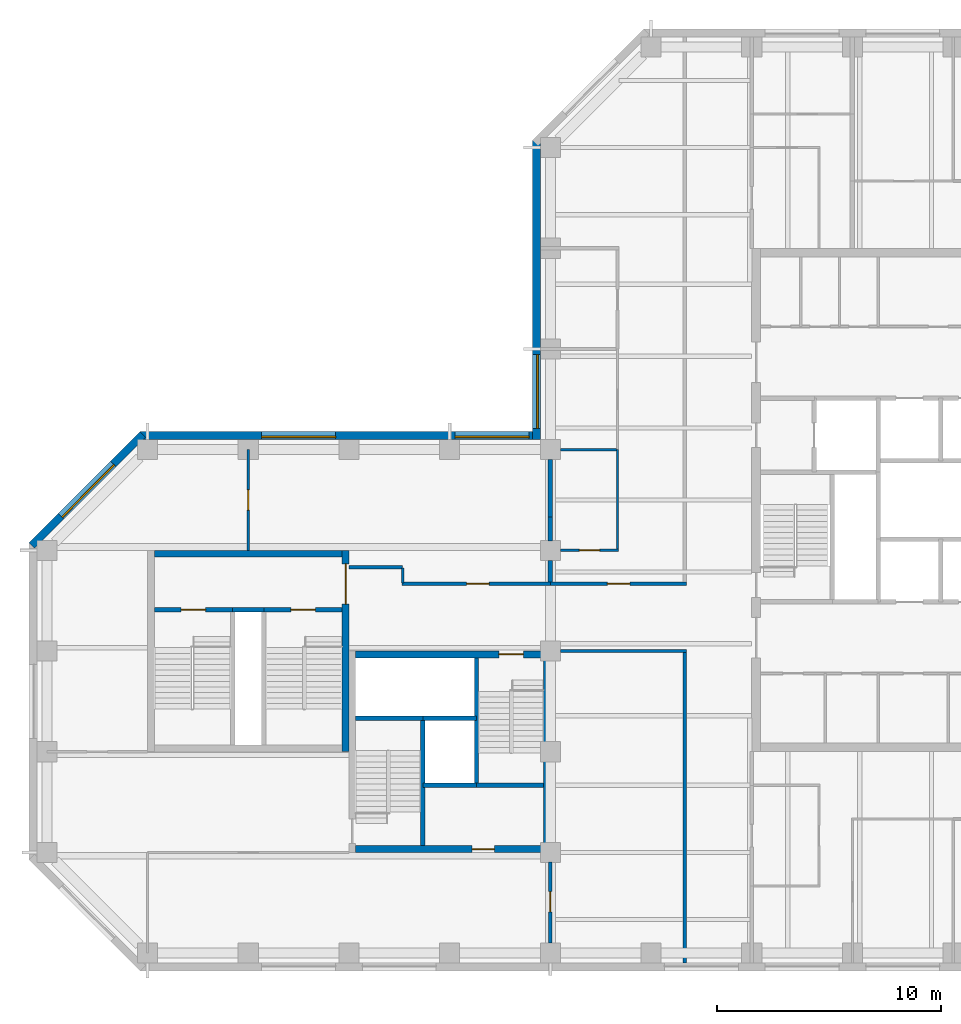
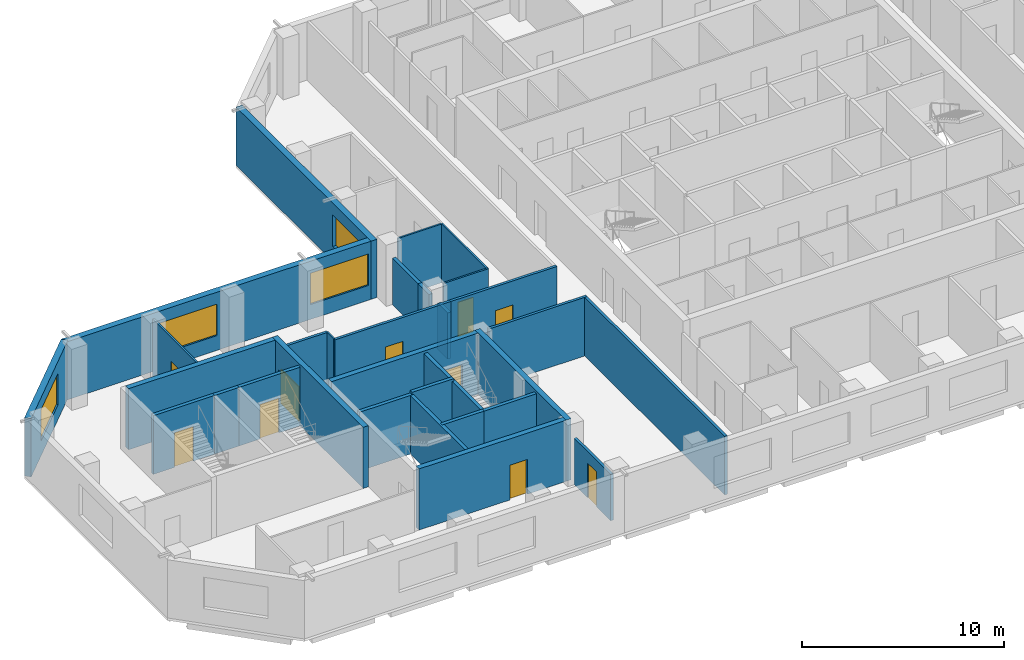
# One storey, part 3 of 10: 31 walls, 10 doors, 4 windows, 14 openings.
"""IFC4 building model written with IfcOpenShell, lengths in metres."""

from ifc_helpers import new_model, si_unit, direction, frame, frame_2d, origin, place, context, subcontext, project, spatial, rectangle, extrude, material, layer, layer_set, constituent, constituent_set, type_object, element, fill, save


model = new_model("IFC4")

# Units and contexts
model_context = context("Model", 3, precision=1e-05, world=origin(), true_north=direction((0.0, 1.0)))
body_context = subcontext(model_context, "Body", "Model", "MODEL_VIEW")
ifc_project = project(units=[si_unit("LENGTHUNIT", "METRE"), si_unit("AREAUNIT", "SQUARE_METRE"), si_unit("VOLUMEUNIT", "CUBIC_METRE"), si_unit("PLANEANGLEUNIT", "RADIAN"), si_unit("MASSUNIT", "GRAM", prefix="KILO")], contexts=[model_context])

# Site, building, storey
site_placement = place(None, origin())
site = spatial("IfcSite", under=ifc_project, at=site_placement, CompositionType="ELEMENT")
building_placement = place(site_placement, origin())
building = spatial("IfcBuilding", under=site, at=building_placement, Name="Quoin Convention Tower", CompositionType="ELEMENT")
storey_placement = place(building_placement, frame((0.0, 0.0, 184.699951171875)))
storey = spatial("IfcBuildingStorey", under=building, at=storey_placement, Name="L48", CompositionType="ELEMENT", Elevation=184.699951171875)

# Wall, opening, window
ifc_material_1 = material(Name="Brick masonry", Category="masonry")
ifc_layer_1 = layer(ifc_material_1, 0.35009765625)
ifc_layer_set_1 = layer_set([ifc_layer_1], Name="Brick masonry")
wall_type_1 = type_object("IfcWallType", Name="Brick facade wall", PredefinedType="STANDARD", material=ifc_layer_set_1)
wall_1_placement = place(storey_placement, frame((35.375, 76.831298828125, 0.0), z_axis=(0.0, 0.0, 1.0), x_axis=(0.0, -1.0, 0.0)))
wall_1 = element("IfcWall", 1, at=wall_1_placement, inside=storey, type_object=wall_type_1, Name="fw-L48-36000_76500", PredefinedType="STANDARD", context=body_context, shape_type="SweptSolid", body=[
    extrude(rectangle(XDim=13.38134765625, YDim=0.35009765625, at=frame_2d((6.690673828125, 0.0))), origin(), (0.0, 0.0, 1.0), 3.525146484375),
])
opening_1_placement = place(wall_1_placement, frame((9.581298828125, 0.0, 0.89990234375)))
opening_1 = element("IfcOpeningElement", 2, at=opening_1_placement, cuts=wall_1, Name="Opening W-02", PredefinedType="OPENING", context=body_context, shape_type="SweptSolid", body=[
    extrude(rectangle(XDim=3.300048828125, YDim=1.89990234375, at=frame_2d((1.64990234375, 0.949951171875))), frame((0.0, 0.18505859375, 0.0), z_axis=(0.0, -1.0, 0.0), x_axis=(1.0, 0.0, 0.0)), (0.0, 0.0, 1.0), 0.3701171875),
])
ifc_material_2 = material(Name="Aluminium", Category="aluminium")
ifc_constituent_1 = constituent(ifc_material_2, Name="Frame")
ifc_material_3 = material(Name="Insulated glass", Category="glass")
ifc_constituent_2 = constituent(ifc_material_3, Name="Glazing")
ifc_constituent_set = constituent_set(constituents=[ifc_constituent_1, ifc_constituent_2], Name="Aluminium")
window_type = type_object("IfcWindowType", Name="Office window", PartitioningType="DOUBLE_PANEL_VERTICAL", PredefinedType="WINDOW", material=ifc_constituent_set)
window_1_placement = place(opening_1_placement, origin())
window_1 = element("IfcWindow", 3, at=window_1_placement, inside=storey, type_object=window_type, Name="win-L48-35375_65250", OverallHeight=1.89990234375, OverallWidth=3.300048828125, PartitioningType="SINGLE_PANEL", PredefinedType="WINDOW", context=body_context, shape_type="SweptSolid", body=[
    extrude(rectangle(XDim=3.300048828125, YDim=1.89990234375, at=frame_2d((1.64990234375, 0.949951171875))), frame((0.0, 0.0849609375, 0.0), z_axis=(0.0, -1.0, 0.0), x_axis=(1.0, 0.0, 0.0)), (0.0, 0.0, 1.0), 0.06005859375),
])
fill(opening_1, window_1)

# Wall, openings, windows
wall_2_placement = place(storey_placement, frame((35.550048828125, 63.625, 0.0), z_axis=(0.0, 0.0, 1.0), x_axis=(-1.0, 0.0, 0.0)))
wall_2 = element("IfcWall", 4, at=wall_2_placement, inside=storey, type_object=wall_type_1, Name="fw-L48-36000_63000", PredefinedType="STANDARD", context=body_context, shape_type="SweptSolid", body=[
    extrude(rectangle(XDim=17.88134765625, YDim=0.35009765625, at=frame_2d((8.940673828125, 0.0))), origin(), (0.0, 0.0, 1.0), 3.525146484375),
])
opening_2_placement = place(wall_2_placement, frame((0.5, 0.0, 0.89990234375)))
opening_2 = element("IfcOpeningElement", 5, at=opening_2_placement, cuts=wall_2, Name="Opening W-02", PredefinedType="OPENING", context=body_context, shape_type="SweptSolid", body=[
    extrude(rectangle(XDim=3.300048828125, YDim=1.89990234375, at=frame_2d((1.64990234375, 0.949951171875))), frame((0.0, 0.18505859375, 0.0), z_axis=(0.0, -1.0, 0.0), x_axis=(1.0, 0.0, 0.0)), (0.0, 0.0, 1.0), 0.3701171875),
])
opening_3_placement = place(wall_2_placement, frame((9.14990234375, 0.0, 0.89990234375)))
opening_3 = element("IfcOpeningElement", 6, at=opening_3_placement, cuts=wall_2, Name="Opening W-02", PredefinedType="OPENING", context=body_context, shape_type="SweptSolid", body=[
    extrude(rectangle(XDim=3.300048828125, YDim=1.89990234375, at=frame_2d((1.64990234375, 0.949951171875))), frame((0.0, 0.18505859375, 0.0), z_axis=(0.0, -1.0, 0.0), x_axis=(1.0, 0.0, 0.0)), (0.0, 0.0, 1.0), 0.3701171875),
])
window_2_placement = place(opening_2_placement, origin())
window_2 = element("IfcWindow", 7, at=window_2_placement, inside=storey, type_object=window_type, Name="win-L48-33750_63625", OverallHeight=1.89990234375, OverallWidth=3.300048828125, PartitioningType="SINGLE_PANEL", PredefinedType="WINDOW", context=body_context, shape_type="SweptSolid", body=[
    extrude(rectangle(XDim=3.300048828125, YDim=1.89990234375, at=frame_2d((1.64990234375, 0.949951171875))), frame((0.0, 0.0849609375, 0.0), z_axis=(0.0, -1.0, 0.0), x_axis=(1.0, 0.0, 0.0)), (0.0, 0.0, 1.0), 0.06005859375),
])
fill(opening_2, window_2)
window_3_placement = place(opening_3_placement, origin())
window_3 = element("IfcWindow", 8, at=window_3_placement, inside=storey, type_object=window_type, Name="win-L48-24750_63625", OverallHeight=1.89990234375, OverallWidth=3.300048828125, PartitioningType="SINGLE_PANEL", PredefinedType="WINDOW", context=body_context, shape_type="SweptSolid", body=[
    extrude(rectangle(XDim=3.300048828125, YDim=1.89990234375, at=frame_2d((1.64990234375, 0.949951171875))), frame((0.0, 0.0849609375, 0.0), z_axis=(0.0, -1.0, 0.0), x_axis=(1.0, 0.0, 0.0)), (0.0, 0.0, 1.0), 0.06005859375),
])
fill(opening_3, window_3)

# Wall, opening, window
wall_3_placement = place(storey_placement, frame((17.79248046875, 63.67626953125, 0.0), z_axis=(0.0, 0.0, 1.0), x_axis=(-0.707106781187, -0.707106781187, 0.0)))
wall_3 = element("IfcWall", 9, at=wall_3_placement, inside=storey, type_object=wall_type_1, Name="fw-L48-18000_63000", PredefinedType="STANDARD", context=body_context, shape_type="SweptSolid", body=[
    extrude(rectangle(XDim=7.02685546875, YDim=0.35009765625, at=frame_2d((3.513427734375, 0.0))), origin(), (0.0, 0.0, 1.0), 3.525146484375),
])
opening_4_placement = place(wall_3_placement, frame((1.86328125, 0.0, 0.89990234375)))
opening_4 = element("IfcOpeningElement", 10, at=opening_4_placement, cuts=wall_3, Name="Opening W-02", PredefinedType="OPENING", context=body_context, shape_type="SweptSolid", body=[
    extrude(rectangle(XDim=3.300048828125, YDim=1.89990234375, at=frame_2d((1.64990234375, 0.949951171875))), frame((0.0, 0.18505859375, 0.0), z_axis=(0.0, -1.0, 0.0), x_axis=(1.0, 0.0, 0.0)), (0.0, 0.0, 1.0), 0.3701171875),
])
window_4_placement = place(opening_4_placement, origin())
window_4 = element("IfcWindow", 11, at=window_4_placement, inside=storey, type_object=window_type, Name="win-L48-15308_61192", OverallHeight=1.89990234375, OverallWidth=3.300048828125, PartitioningType="SINGLE_PANEL", PredefinedType="WINDOW", context=body_context, shape_type="SweptSolid", body=[
    extrude(rectangle(XDim=3.300048828125, YDim=1.89990234375, at=frame_2d((1.64990234375, 0.949951171875))), frame((0.0, 0.0849609375, 0.0), z_axis=(0.0, -1.0, 0.0), x_axis=(1.0, 0.0, 0.0)), (0.0, 0.0, 1.0), 0.06005859375),
])
fill(opening_4, window_4)

# Walls
ifc_material_4 = material(Name="Concrete C50", Category="concrete")
ifc_layer_2 = layer(ifc_material_4, 0.199951171875)
ifc_layer_set_2 = layer_set([ifc_layer_2], Name="Concrete C50")
wall_type_2 = type_object("IfcWallType", Name="Core shaft wall", PredefinedType="SOLIDWALL", material=ifc_layer_set_2)
wall_4_placement = place(storey_placement, frame((30.300048828125, 48.0, 0.0), z_axis=(0.0, 0.0, 1.0), x_axis=(1.0, 0.0, 0.0)))
element("IfcWall", 12, at=wall_4_placement, inside=storey, type_object=wall_type_2, Name="cr-P2-L48-h3000_3300", PredefinedType="SOLIDWALL", context=body_context, shape_type="SweptSolid", body=[
    extrude(rectangle(XDim=2.39990234375, YDim=0.199951171875, at=frame_2d((1.199951171875, 0.0))), origin(), (0.0, 0.0, 1.0), 3.550048828125),
])
for number, where, z_axis, x_axis, name in (
    (13, (32.699951171875, 48.0, 0.0), (0.0, 0.0, 1.0), (1.0, 0.0, 0.0), "cr-P2-L48-h3000_5700"),
    (14, (27.300048828125, 51.0, 0.0), (0.0, 0.0, 1.0), (1.0, 0.0, 0.0), "cr-P2-L48-h6000_300"),
):
    element("IfcWall", number, at=place(storey_placement, frame(where, z_axis=z_axis, x_axis=x_axis)), inside=storey, type_object=wall_type_2, Name=name, PredefinedType="SOLIDWALL", context=body_context, shape_type="SweptSolid", body=[
        extrude(rectangle(XDim=3.0, YDim=0.199951171875, at=frame_2d((1.5, 0.0))), origin(), (0.0, 0.0, 1.0), 3.550048828125),
    ])
for number, where, z_axis, x_axis, name in (
    (15, (30.300048828125, 45.300048828125, 0.0), (0.0, 0.0, 1.0), (0.0, 1.0, 0.0), "cr-P2-L48-v3300_300"),
    (16, (32.699951171875, 48.0, 0.0), (0.0, 0.0, 1.0), (0.0, 1.0, 0.0), "cr-P2-L48-v5700_3000"),
):
    element("IfcWall", number, at=place(storey_placement, frame(where, z_axis=z_axis, x_axis=x_axis)), inside=storey, type_object=wall_type_2, Name=name, PredefinedType="SOLIDWALL", context=body_context, shape_type="SweptSolid", body=[
        extrude(rectangle(XDim=5.699951171875, YDim=0.199951171875, at=frame_2d((2.85009765625, 0.0))), origin(), (0.0, 0.0, 1.0), 3.550048828125),
    ])
wall_5_placement = place(storey_placement, frame((21.800048828125, 55.85009765625, 0.0), z_axis=(0.0, 0.0, 1.0), x_axis=(1.0, 0.0, 0.0)))
element("IfcWall", 17, at=wall_5_placement, inside=storey, type_object=wall_type_2, Name="cr-P6-L48-h6350_3800", PredefinedType="SOLIDWALL", context=body_context, shape_type="SweptSolid", body=[
    extrude(rectangle(XDim=1.39990234375, YDim=0.199951171875, at=frame_2d((0.699951171875, 0.0))), origin(), (0.0, 0.0, 1.0), 3.550048828125),
])

# Wall, opening, door
wall_6_placement = place(storey_placement, frame((18.300048828125, 55.85009765625, 0.0), z_axis=(0.0, 0.0, 1.0), x_axis=(1.0, 0.0, 0.0)))
wall_6 = element("IfcWall", 18, at=wall_6_placement, inside=storey, type_object=wall_type_2, Name="cr-P6-L48-h6350_300", PredefinedType="SOLIDWALL", context=body_context, shape_type="SweptSolid", body=[
    extrude(rectangle(XDim=3.5, YDim=0.199951171875, at=frame_2d((1.75, 0.0))), origin(), (0.0, 0.0, 1.0), 3.550048828125),
])
opening_5_placement = place(wall_6_placement, frame((1.199951171875, 0.0, 0.0)))
opening_5 = element("IfcOpeningElement", 19, at=opening_5_placement, cuts=wall_6, Name="Opening SD11", PredefinedType="OPENING", context=body_context, shape_type="SweptSolid", body=[
    extrude(rectangle(XDim=1.10009765625, YDim=2.10009765625, at=frame_2d((0.550048828125, 1.050048828125))), frame((0.0, 0.10986328125, 0.0), z_axis=(0.0, -1.0, 0.0), x_axis=(1.0, 0.0, 0.0)), (0.0, 0.0, 1.0), 0.219970703125),
])
ifc_material_5 = material(Name="Steel door leaf", Category="steel")
door_type_1 = type_object("IfcDoorType", Name="Stair door 1100 x 2100", OperationType="SINGLE_SWING_RIGHT", PredefinedType="DOOR", material=ifc_material_5)
door_1_placement = place(opening_5_placement, origin())
door_1 = element("IfcDoor", 20, at=door_1_placement, inside=storey, type_object=door_type_1, Name="cd-P6-L48-SA-R2-SD11", OperationType="SINGLE_SWING_RIGHT", OverallHeight=2.10009765625, OverallWidth=1.10009765625, PredefinedType="DOOR", context=body_context, shape_type="SweptSolid", body=[
    extrude(rectangle(XDim=1.10009765625, YDim=2.10009765625, at=frame_2d((0.550048828125, 1.050048828125))), frame((0.0, 0.02490234375, 0.0), z_axis=(0.0, -1.0, 0.0), x_axis=(1.0, 0.0, 0.0)), (0.0, 0.0, 1.0), 0.050048828125),
])
fill(opening_5, door_1)

wall_7_placement = place(storey_placement, frame((23.199951171875, 55.85009765625, 0.0), z_axis=(0.0, 0.0, 1.0), x_axis=(1.0, 0.0, 0.0)))
wall_7 = element("IfcWall", 21, at=wall_7_placement, inside=storey, type_object=wall_type_2, Name="cr-P6-L48-h6350_5200", PredefinedType="SOLIDWALL", context=body_context, shape_type="SweptSolid", body=[
    extrude(rectangle(XDim=3.5, YDim=0.199951171875, at=frame_2d((1.75, 0.0))), origin(), (0.0, 0.0, 1.0), 3.550048828125),
])
opening_6_placement = place(wall_7_placement, frame((1.199951171875, 0.0, 0.0)))
opening_6 = element("IfcOpeningElement", 22, at=opening_6_placement, cuts=wall_7, Name="Opening SD12", PredefinedType="OPENING", context=body_context, shape_type="SweptSolid", body=[
    extrude(rectangle(XDim=1.10009765625, YDim=2.10009765625, at=frame_2d((0.550048828125, 1.050048828125))), frame((0.0, 0.10986328125, 0.0), z_axis=(0.0, -1.0, 0.0), x_axis=(1.0, 0.0, 0.0)), (0.0, 0.0, 1.0), 0.219970703125),
])
door_2_placement = place(opening_6_placement, origin())
door_2 = element("IfcDoor", 23, at=door_2_placement, inside=storey, type_object=door_type_1, Name="cd-P6-L48-SB-R2-SD12", OperationType="SINGLE_SWING_RIGHT", OverallHeight=2.10009765625, OverallWidth=1.10009765625, PredefinedType="DOOR", context=body_context, shape_type="SweptSolid", body=[
    extrude(rectangle(XDim=1.10009765625, YDim=2.10009765625, at=frame_2d((0.550048828125, 1.050048828125))), frame((0.0, 0.02490234375, 0.0), z_axis=(0.0, -1.0, 0.0), x_axis=(1.0, 0.0, 0.0)), (0.0, 0.0, 1.0), 0.050048828125),
])
fill(opening_6, door_2)

# Walls
ifc_layer_3 = layer(ifc_material_4, 0.199951171875)
ifc_layer_set_3 = layer_set([ifc_layer_3], Name="Concrete C50")
wall_type_3 = type_object("IfcWallType", Name="Core shaft wall to the floor level over", PredefinedType="SOLIDWALL", material=ifc_layer_set_3)
wall_8_placement = place(storey_placement, frame((30.300048828125, 51.0, 0.0), z_axis=(0.0, 0.0, 1.0), x_axis=(1.0, 0.0, 0.0)))
element("IfcWall", 24, at=wall_8_placement, inside=storey, type_object=wall_type_3, Name="cr-P2-L48-h6000_3300", PredefinedType="SOLIDWALL", context=body_context, shape_type="SweptSolid", body=[
    extrude(rectangle(XDim=2.39990234375, YDim=0.199951171875, at=frame_2d((1.199951171875, 0.0))), origin(), (0.0, 0.0, 1.0), 3.699951171875),
])
ifc_material_6 = material(Name="Plasterboard")
ifc_layer_4 = layer(ifc_material_6, 0.012451171875, Name="Finish")
ifc_material_7 = material(Name="Steel stud framing", Category="steel")
ifc_layer_5 = layer(ifc_material_7, 0.125, Name="Structure")
ifc_layer_6 = layer(ifc_material_6, 0.012451171875, Name="Finish")
ifc_layer_set_4 = layer_set([ifc_layer_4, ifc_layer_5, ifc_layer_6], Name="Steel stud framing")
wall_type_4 = type_object("IfcWallType", Name="Corridor wall 150", PredefinedType="PARTITIONING", material=ifc_layer_set_4)
wall_9_placement = place(storey_placement, frame((36.449951171875, 54.0, 0.0), z_axis=(0.0, 0.0, 1.0), x_axis=(1.0, 0.0, 0.0)))
element("IfcWall", 25, at=wall_9_placement, inside=storey, type_object=wall_type_4, Name="pw-L48-016", PredefinedType="PARTITIONING", context=body_context, shape_type="SweptSolid", body=[
    extrude(rectangle(XDim=5.625, YDim=0.14990234375, at=frame_2d((2.8125, 0.0))), origin(), (0.0, 0.0, 1.0), 3.550048828125),
])

# Wall, opening, door
wall_10_placement = place(storey_placement, frame((29.3798828125, 57.0, 0.0), z_axis=(0.0, 0.0, 1.0), x_axis=(1.0, 0.0, 0.0)))
wall_10 = element("IfcWall", 26, at=wall_10_placement, inside=storey, type_object=wall_type_4, Name="pw-L48-018", PredefinedType="PARTITIONING", context=body_context, shape_type="SweptSolid", body=[
    extrude(rectangle(XDim=6.6201171875, YDim=0.14990234375, at=frame_2d((3.31005859375, 0.0))), origin(), (0.0, 0.0, 1.0), 3.550048828125),
])
opening_7_placement = place(wall_10_placement, frame((2.8798828125, 0.0, 0.0)))
opening_7 = element("IfcOpeningElement", 27, at=opening_7_placement, cuts=wall_10, Name="Opening DOH6-04", PredefinedType="OPENING", context=body_context, shape_type="SweptSolid", body=[
    extrude(rectangle(XDim=1.0, YDim=2.10009765625, at=frame_2d((0.5, 1.050048828125))), frame((0.0, 0.0849609375, 0.0), z_axis=(0.0, -1.0, 0.0), x_axis=(1.0, 0.0, 0.0)), (0.0, 0.0, 1.0), 0.169921875),
])
door_type_2 = type_object("IfcDoorType", Name="Tenancy entrance door 1000 x 2100", OperationType="DOUBLE_DOOR_SINGLE_SWING", PredefinedType="DOOR", material=ifc_material_5)
door_3_placement = place(opening_7_placement, origin())
door_3 = element("IfcDoor", 28, at=door_3_placement, inside=storey, type_object=door_type_2, Name="dr-L48-w01", OperationType="DOUBLE_DOOR_SINGLE_SWING", OverallHeight=2.10009765625, OverallWidth=1.0, PredefinedType="DOOR", context=body_context, shape_type="SweptSolid", body=[
    extrude(rectangle(XDim=1.0, YDim=2.10009765625, at=frame_2d((0.5, 1.050048828125))), frame((0.0, 0.02490234375, 0.0), z_axis=(0.0, -1.0, 0.0), x_axis=(1.0, 0.0, 0.0)), (0.0, 0.0, 1.0), 0.050048828125),
])
fill(opening_7, door_3)

wall_11_placement = place(storey_placement, frame((36.0, 57.0, 0.0), z_axis=(0.0, 0.0, 1.0), x_axis=(1.0, 0.0, 0.0)))
wall_11 = element("IfcWall", 29, at=wall_11_placement, inside=storey, type_object=wall_type_4, Name="pw-L48-019", PredefinedType="PARTITIONING", context=body_context, shape_type="SweptSolid", body=[
    extrude(rectangle(XDim=6.074951171875, YDim=0.14990234375, at=frame_2d((3.03759765625, 0.0))), origin(), (0.0, 0.0, 1.0), 3.550048828125),
])
opening_8_placement = place(wall_11_placement, frame((2.550048828125, 0.0, 0.0)))
opening_8 = element("IfcOpeningElement", 30, at=opening_8_placement, cuts=wall_11, Name="Opening DOH6-05", PredefinedType="OPENING", context=body_context, shape_type="SweptSolid", body=[
    extrude(rectangle(XDim=1.0, YDim=2.10009765625, at=frame_2d((0.5, 1.050048828125))), frame((0.0, 0.0849609375, 0.0), z_axis=(0.0, -1.0, 0.0), x_axis=(1.0, 0.0, 0.0)), (0.0, 0.0, 1.0), 0.169921875),
])
door_4_placement = place(opening_8_placement, origin())
door_4 = element("IfcDoor", 31, at=door_4_placement, inside=storey, type_object=door_type_2, Name="dr-L48-12", OperationType="DOUBLE_DOOR_SINGLE_SWING", OverallHeight=2.10009765625, OverallWidth=1.0, PredefinedType="DOOR", context=body_context, shape_type="SweptSolid", body=[
    extrude(rectangle(XDim=1.0, YDim=2.10009765625, at=frame_2d((0.5, 1.050048828125))), frame((0.0, 0.02490234375, 0.0), z_axis=(0.0, -1.0, 0.0), x_axis=(1.0, 0.0, 0.0)), (0.0, 0.0, 1.0), 0.050048828125),
])
fill(opening_8, door_4)

# Walls
wall_12_placement = place(storey_placement, frame((42.0, 40.050048828125, 0.0), z_axis=(0.0, 0.0, 1.0), x_axis=(0.0, 1.0, 0.0)))
element("IfcWall", 32, at=wall_12_placement, inside=storey, type_object=wall_type_4, Name="pw-L48-045", PredefinedType="PARTITIONING", context=body_context, shape_type="SweptSolid", body=[
    extrude(rectangle(XDim=13.875, YDim=0.14990234375, at=frame_2d((6.9375, 0.0))), origin(), (0.0, 0.0, 1.0), 3.550048828125),
])
wall_13_placement = place(storey_placement, frame((27.0, 57.75, 0.0), z_axis=(0.0, 0.0, 1.0), x_axis=(1.0, 0.0, 0.0)))
element("IfcWall", 33, at=wall_13_placement, inside=storey, type_object=wall_type_4, Name="pw-L48-w05", PredefinedType="PARTITIONING", context=body_context, shape_type="SweptSolid", body=[
    extrude(rectangle(XDim=2.39990234375, YDim=0.14990234375, at=frame_2d((1.199951171875, 0.0))), origin(), (0.0, 0.0, 1.0), 3.550048828125),
])

# Wall, opening, door
ifc_layer_7 = layer(ifc_material_6, 0.012451171875, Name="Finish")
ifc_layer_8 = layer(ifc_material_7, 0.125, Name="Structure")
ifc_layer_9 = layer(ifc_material_6, 0.012451171875, Name="Finish")
ifc_layer_set_5 = layer_set([ifc_layer_7, ifc_layer_8, ifc_layer_9], Name="Steel stud framing")
wall_type_5 = type_object("IfcWallType", Name="Corridor wall 150 under beam 750", PredefinedType="PARTITIONING", material=ifc_layer_set_5)
wall_14_placement = place(storey_placement, frame((36.0, 40.949951171875, 0.0), z_axis=(0.0, 0.0, 1.0), x_axis=(0.0, 1.0, 0.0)))
wall_14 = element("IfcWall", 34, at=wall_14_placement, inside=storey, type_object=wall_type_5, Name="pw-L48-054", PredefinedType="PARTITIONING", context=body_context, shape_type="SweptSolid", body=[
    extrude(rectangle(XDim=3.630126953125, YDim=0.14990234375, at=frame_2d((1.81494140625, 0.0))), origin(), (0.0, 0.0, 1.0), 2.800048828125),
])
opening_9_placement = place(wall_14_placement, frame((1.39990234375, 0.0, 0.0)))
opening_9 = element("IfcOpeningElement", 35, at=opening_9_placement, cuts=wall_14, Name="Opening DOH6-19", PredefinedType="OPENING", context=body_context, shape_type="SweptSolid", body=[
    extrude(rectangle(XDim=0.89990234375, YDim=2.10009765625, at=frame_2d((0.449951171875, 1.050048828125))), frame((0.0, 0.0849609375, 0.0), z_axis=(0.0, -1.0, 0.0), x_axis=(1.0, 0.0, 0.0)), (0.0, 0.0, 1.0), 0.169921875),
])
door_type_3 = type_object("IfcDoorType", Name="Office door 900 x 2100", OperationType="SINGLE_SWING_RIGHT", PredefinedType="DOOR", material=ifc_material_5)
door_5_placement = place(opening_9_placement, origin())
door_5 = element("IfcDoor", 36, at=door_5_placement, inside=storey, type_object=door_type_3, Name="dr-L48-01", OperationType="SINGLE_SWING_RIGHT", OverallHeight=2.10009765625, OverallWidth=0.89990234375, PredefinedType="DOOR", context=body_context, shape_type="SweptSolid", body=[
    extrude(rectangle(XDim=0.89990234375, YDim=2.10009765625, at=frame_2d((0.449951171875, 1.050048828125))), frame((0.0, 0.02490234375, 0.0), z_axis=(0.0, -1.0, 0.0), x_axis=(1.0, 0.0, 0.0)), (0.0, 0.0, 1.0), 0.050048828125),
])
fill(opening_9, door_5)

ifc_layer_10 = layer(ifc_material_4, 0.300048828125)
ifc_layer_set_6 = layer_set([ifc_layer_10], Name="Concrete C50")
wall_type_6 = type_object("IfcWallType", Name="RC CORE WALL 300 C50", PredefinedType="SHEAR", material=ifc_layer_set_6)
wall_15_placement = place(storey_placement, frame((27.300048828125, 45.14990234375, 0.0), z_axis=(0.0, 0.0, 1.0), x_axis=(1.0, 0.0, 0.0)))
wall_15 = element("IfcWall", 37, at=wall_15_placement, inside=storey, type_object=wall_type_6, Name="cwl-P2-L48-S", PredefinedType="SHEAR", context=body_context, shape_type="SweptSolid", body=[
    extrude(rectangle(XDim=8.39990234375, YDim=0.300048828125, at=frame_2d((4.199951171875, 0.0))), origin(), (0.0, 0.0, 1.0), 3.699951171875),
])
opening_10_placement = place(wall_15_placement, frame((5.199951171875, 0.0, 0.0)))
opening_10 = element("IfcOpeningElement", 38, at=opening_10_placement, cuts=wall_15, Name="Opening DCV4-42", PredefinedType="OPENING", context=body_context, shape_type="SweptSolid", body=[
    extrude(rectangle(XDim=1.0, YDim=2.10009765625, at=frame_2d((0.5, 1.050048828125))), frame((0.0, 0.159912109375, 0.0), z_axis=(0.0, -1.0, 0.0), x_axis=(1.0, 0.0, 0.0)), (0.0, 0.0, 1.0), 0.320068359375),
])
door_type_4 = type_object("IfcDoorType", Name="Service door 1000 x 2100", OperationType="SINGLE_SWING_LEFT", PredefinedType="DOOR", material=ifc_material_5)
door_6_placement = place(opening_10_placement, frame((1.0, 0.0, 0.0), z_axis=(0.0, 0.0, 1.0), x_axis=(-1.0, 0.0, 0.0)))
door_6 = element("IfcDoor", 39, at=door_6_placement, inside=storey, type_object=door_type_4, Name="cd-P2-L48-R2-S", OperationType="SINGLE_SWING_LEFT", OverallHeight=2.10009765625, OverallWidth=1.0, PredefinedType="DOOR", context=body_context, shape_type="SweptSolid", body=[
    extrude(rectangle(XDim=1.0, YDim=2.10009765625, at=frame_2d((0.5, 1.050048828125))), frame((0.0, 0.02490234375, 0.0), z_axis=(0.0, -1.0, 0.0), x_axis=(1.0, 0.0, 0.0)), (0.0, 0.0, 1.0), 0.050048828125),
])
fill(opening_10, door_6)

wall_16_placement = place(storey_placement, frame((27.300048828125, 53.85009765625, 0.0), z_axis=(0.0, 0.0, 1.0), x_axis=(1.0, 0.0, 0.0)))
wall_16 = element("IfcWall", 40, at=wall_16_placement, inside=storey, type_object=wall_type_6, Name="cwl-P2-L48-N", PredefinedType="SHEAR", context=body_context, shape_type="SweptSolid", body=[
    extrude(rectangle(XDim=8.39990234375, YDim=0.300048828125, at=frame_2d((4.199951171875, 0.0))), origin(), (0.0, 0.0, 1.0), 3.699951171875),
])
opening_11_placement = place(wall_16_placement, frame((6.39990234375, 0.0, 0.0)))
opening_11 = element("IfcOpeningElement", 41, at=opening_11_placement, cuts=wall_16, Name="Opening SD4", PredefinedType="OPENING", context=body_context, shape_type="SweptSolid", body=[
    extrude(rectangle(XDim=1.10009765625, YDim=2.10009765625, at=frame_2d((0.550048828125, 1.050048828125))), frame((0.0, 0.159912109375, 0.0), z_axis=(0.0, -1.0, 0.0), x_axis=(1.0, 0.0, 0.0)), (0.0, 0.0, 1.0), 0.320068359375),
])
door_7_placement = place(opening_11_placement, frame((1.10009765625, 0.0, 0.0), z_axis=(0.0, 0.0, 1.0), x_axis=(-1.0, 0.0, 0.0)))
door_7 = element("IfcDoor", 42, at=door_7_placement, inside=storey, type_object=door_type_1, Name="cd-P2-L48-SB-N", OperationType="SINGLE_SWING_LEFT", OverallHeight=2.10009765625, OverallWidth=1.10009765625, PredefinedType="DOOR", context=body_context, shape_type="SweptSolid", body=[
    extrude(rectangle(XDim=1.10009765625, YDim=2.10009765625, at=frame_2d((0.550048828125, 1.050048828125))), frame((0.0, 0.02490234375, 0.0), z_axis=(0.0, -1.0, 0.0), x_axis=(1.0, 0.0, 0.0)), (0.0, 0.0, 1.0), 0.050048828125),
])
fill(opening_11, door_7)

# Walls
wall_17_placement = place(storey_placement, frame((35.85009765625, 45.0, 0.0), z_axis=(0.0, 0.0, 1.0), x_axis=(0.0, 1.0, 0.0)))
element("IfcWall", 43, at=wall_17_placement, inside=storey, type_object=wall_type_6, Name="cwl-P2-L48-E", PredefinedType="SHEAR", context=body_context, shape_type="SweptSolid", body=[
    extrude(rectangle(XDim=9.0, YDim=0.300048828125, at=frame_2d((4.5, 0.0))), origin(), (0.0, 0.0, 1.0), 3.699951171875),
])
wall_18_placement = place(storey_placement, frame((18.300048828125, 58.35009765625, 0.0), z_axis=(0.0, 0.0, 1.0), x_axis=(1.0, 0.0, 0.0)))
element("IfcWall", 44, at=wall_18_placement, inside=storey, type_object=wall_type_6, Name="cwl-P6-L48-N", PredefinedType="SHEAR", context=body_context, shape_type="SweptSolid", body=[
    extrude(rectangle(XDim=8.39990234375, YDim=0.300048828125, at=frame_2d((4.199951171875, 0.0))), origin(), (0.0, 0.0, 1.0), 3.699951171875),
])

# Wall, opening, door
wall_19_placement = place(storey_placement, frame((26.85009765625, 49.5, 0.0), z_axis=(0.0, 0.0, 1.0), x_axis=(0.0, 1.0, 0.0)))
wall_19 = element("IfcWall", 45, at=wall_19_placement, inside=storey, type_object=wall_type_6, Name="cwl-P6-L48-E", PredefinedType="SHEAR", context=body_context, shape_type="SweptSolid", body=[
    extrude(rectangle(XDim=9.0, YDim=0.300048828125, at=frame_2d((4.5, 0.0))), origin(), (0.0, 0.0, 1.0), 3.699951171875),
])
opening_12_placement = place(wall_19_placement, frame((6.60009765625, 0.0, 0.0)))
opening_12 = element("IfcOpeningElement", 46, at=opening_12_placement, cuts=wall_19, Name="Opening DCV4-45", PredefinedType="OPENING", context=body_context, shape_type="SweptSolid", body=[
    extrude(rectangle(XDim=1.800048828125, YDim=2.10009765625, at=frame_2d((0.89990234375, 1.050048828125))), frame((0.0, 0.159912109375, 0.0), z_axis=(0.0, -1.0, 0.0), x_axis=(1.0, 0.0, 0.0)), (0.0, 0.0, 1.0), 0.320068359375),
])
door_type_5 = type_object("IfcDoorType", Name="Goods lobby door 1800 x 2100", OperationType="SINGLE_SWING_LEFT", PredefinedType="DOOR", material=ifc_material_5)
door_8_placement = place(opening_12_placement, origin())
door_8 = element("IfcDoor", 47, at=door_8_placement, inside=storey, type_object=door_type_5, Name="cd-P6-L48-R2-E", OperationType="SINGLE_SWING_LEFT", OverallHeight=2.10009765625, OverallWidth=1.800048828125, PredefinedType="DOOR", context=body_context, shape_type="SweptSolid", body=[
    extrude(rectangle(XDim=1.800048828125, YDim=2.10009765625, at=frame_2d((0.89990234375, 1.050048828125))), frame((0.0, 0.02490234375, 0.0), z_axis=(0.0, -1.0, 0.0), x_axis=(1.0, 0.0, 0.0)), (0.0, 0.0, 1.0), 0.050048828125),
])
fill(opening_12, door_8)

ifc_layer_11 = layer(ifc_material_6, 0.012451171875, Name="Finish")
ifc_layer_12 = layer(ifc_material_7, 0.074951171875, Name="Structure")
ifc_layer_13 = layer(ifc_material_6, 0.012451171875, Name="Finish")
ifc_layer_set_7 = layer_set([ifc_layer_11, ifc_layer_12, ifc_layer_13], Name="Steel stud framing")
wall_type_7 = type_object("IfcWallType", Name="Stud partition 100", PredefinedType="PARTITIONING", material=ifc_layer_set_7)
wall_20_placement = place(storey_placement, frame((36.449951171875, 58.5, 0.0), z_axis=(0.0, 0.0, 1.0), x_axis=(1.0, 0.0, 0.0)))
wall_20 = element("IfcWall", 48, at=wall_20_placement, inside=storey, type_object=wall_type_7, Name="pw-L48-021", PredefinedType="PARTITIONING", context=body_context, shape_type="SweptSolid", body=[
    extrude(rectangle(XDim=2.60009765625, YDim=0.10009765625, at=frame_2d((1.300048828125, 0.0))), origin(), (0.0, 0.0, 1.0), 3.550048828125),
])
opening_13_placement = place(wall_20_placement, frame((0.85009765625, 0.0, 0.0)))
opening_13 = element("IfcOpeningElement", 49, at=opening_13_placement, cuts=wall_20, Name="Opening DOH6-06", PredefinedType="OPENING", context=body_context, shape_type="SweptSolid", body=[
    extrude(rectangle(XDim=0.89990234375, YDim=2.10009765625, at=frame_2d((0.449951171875, 1.050048828125))), frame((0.0, 0.06005859375, 0.0), z_axis=(0.0, -1.0, 0.0), x_axis=(1.0, 0.0, 0.0)), (0.0, 0.0, 1.0), 0.1201171875),
])
door_9_placement = place(opening_13_placement, frame((0.89990234375, 0.0, 0.0), z_axis=(0.0, 0.0, 1.0), x_axis=(-1.0, 0.0, 0.0)))
door_9 = element("IfcDoor", 50, at=door_9_placement, inside=storey, type_object=door_type_3, Name="dr-L48-13", OperationType="SINGLE_SWING_LEFT", OverallHeight=2.10009765625, OverallWidth=0.89990234375, PredefinedType="DOOR", context=body_context, shape_type="SweptSolid", body=[
    extrude(rectangle(XDim=0.89990234375, YDim=2.10009765625, at=frame_2d((0.449951171875, 1.050048828125))), frame((0.0, 0.02490234375, 0.0), z_axis=(0.0, -1.0, 0.0), x_axis=(1.0, 0.0, 0.0)), (0.0, 0.0, 1.0), 0.050048828125),
])
fill(opening_13, door_9)

# Walls
wall_21_placement = place(storey_placement, frame((36.449951171875, 63.0, 0.0), z_axis=(0.0, 0.0, 1.0), x_axis=(1.0, 0.0, 0.0)))
element("IfcWall", 51, at=wall_21_placement, inside=storey, type_object=wall_type_7, Name="pw-L48-026", PredefinedType="PARTITIONING", context=body_context, shape_type="SweptSolid", body=[
    extrude(rectangle(XDim=2.5, YDim=0.10009765625, at=frame_2d((1.25, 0.0))), origin(), (0.0, 0.0, 1.0), 3.550048828125),
])
wall_22_placement = place(storey_placement, frame((39.0, 58.550048828125, 0.0), z_axis=(0.0, 0.0, 1.0), x_axis=(0.0, 1.0, 0.0)))
element("IfcWall", 52, at=wall_22_placement, inside=storey, type_object=wall_type_7, Name="pw-L48-075", PredefinedType="PARTITIONING", context=body_context, shape_type="SweptSolid", body=[
    extrude(rectangle(XDim=4.449951171875, YDim=0.10009765625, at=frame_2d((2.22509765625, 0.0))), origin(), (0.0, 0.0, 1.0), 3.550048828125),
])

# Wall, opening, door
wall_23_placement = place(storey_placement, frame((22.5, 63.0, 0.0), z_axis=(0.0, 0.0, 1.0), x_axis=(0.0, -1.0, 0.0)))
wall_23 = element("IfcWall", 53, at=wall_23_placement, inside=storey, type_object=wall_type_7, Name="pw-L48-w01", PredefinedType="PARTITIONING", context=body_context, shape_type="SweptSolid", body=[
    extrude(rectangle(XDim=4.5, YDim=0.10009765625, at=frame_2d((2.25, 0.0))), origin(), (0.0, 0.0, 1.0), 3.550048828125),
])
opening_14_placement = place(wall_23_placement, frame((1.800048828125, 0.0, 0.0)))
opening_14 = element("IfcOpeningElement", 54, at=opening_14_placement, cuts=wall_23, Name="Opening DOH6-34", PredefinedType="OPENING", context=body_context, shape_type="SweptSolid", body=[
    extrude(rectangle(XDim=0.89990234375, YDim=2.10009765625, at=frame_2d((0.449951171875, 1.050048828125))), frame((0.0, 0.06005859375, 0.0), z_axis=(0.0, -1.0, 0.0), x_axis=(1.0, 0.0, 0.0)), (0.0, 0.0, 1.0), 0.1201171875),
])
door_10_placement = place(opening_14_placement, origin())
door_10 = element("IfcDoor", 55, at=door_10_placement, inside=storey, type_object=door_type_3, Name="dr-L48-w02", OperationType="SINGLE_SWING_LEFT", OverallHeight=2.10009765625, OverallWidth=0.89990234375, PredefinedType="DOOR", context=body_context, shape_type="SweptSolid", body=[
    extrude(rectangle(XDim=0.89990234375, YDim=2.10009765625, at=frame_2d((0.449951171875, 1.050048828125))), frame((0.0, 0.02490234375, 0.0), z_axis=(0.0, -1.0, 0.0), x_axis=(1.0, 0.0, 0.0)), (0.0, 0.0, 1.0), 0.050048828125),
])
fill(opening_14, door_10)

# Walls
wall_24_placement = place(storey_placement, frame((29.39990234375, 57.715087890625, 0.0), z_axis=(0.0, 0.0, 1.0), x_axis=(0.0, -1.0, 0.0)))
element("IfcWall", 56, at=wall_24_placement, inside=storey, type_object=wall_type_7, Name="pw-L48-w06", PredefinedType="PARTITIONING", context=body_context, shape_type="SweptSolid", body=[
    extrude(rectangle(XDim=0.68017578125, YDim=0.10009765625, at=frame_2d((0.340087890625, 0.0))), origin(), (0.0, 0.0, 1.0), 3.550048828125),
])
ifc_layer_14 = layer(ifc_material_6, 0.012451171875, Name="Finish")
ifc_layer_15 = layer(ifc_material_7, 0.175048828125, Name="Structure")
ifc_layer_16 = layer(ifc_material_6, 0.012451171875, Name="Finish")
ifc_layer_set_8 = layer_set([ifc_layer_14, ifc_layer_15, ifc_layer_16], Name="Steel stud framing")
wall_type_8 = type_object("IfcWallType", Name="Tenancy demising wall 200 under beam 750", PredefinedType="PARTITIONING", material=ifc_layer_set_8)
wall_25_placement = place(storey_placement, frame((36.0, 57.074951171875, 0.0), z_axis=(0.0, 0.0, 1.0), x_axis=(0.0, 1.0, 0.0)))
element("IfcWall", 57, at=wall_25_placement, inside=storey, type_object=wall_type_8, Name="pw-L48-072", PredefinedType="PARTITIONING", context=body_context, shape_type="SweptSolid", body=[
    extrude(rectangle(XDim=0.97509765625, YDim=0.199951171875, at=frame_2d((0.487548828125, 0.0))), origin(), (0.0, 0.0, 1.0), 2.800048828125),
])
wall_26_placement = place(storey_placement, frame((36.0, 58.919921875, 0.0), z_axis=(0.0, 0.0, 1.0), x_axis=(0.0, 1.0, 0.0)))
element("IfcWall", 58, at=wall_26_placement, inside=storey, type_object=wall_type_8, Name="pw-L48-076", PredefinedType="PARTITIONING", context=body_context, shape_type="SweptSolid", body=[
    extrude(rectangle(XDim=1.080078125, YDim=0.199951171875, at=frame_2d((0.5400390625, 0.0))), origin(), (0.0, 0.0, 1.0), 2.800048828125),
])
wall_27_placement = place(storey_placement, frame((36.0, 60.0, 0.0), z_axis=(0.0, 0.0, 1.0), x_axis=(0.0, 1.0, 0.0)))
element("IfcWall", 59, at=wall_27_placement, inside=storey, type_object=wall_type_8, Name="pw-L48-078", PredefinedType="PARTITIONING", context=body_context, shape_type="SweptSolid", body=[
    extrude(rectangle(XDim=2.550048828125, YDim=0.199951171875, at=frame_2d((1.27490234375, 0.0))), origin(), (0.0, 0.0, 1.0), 2.800048828125),
])

save(model, "model.ifc")
